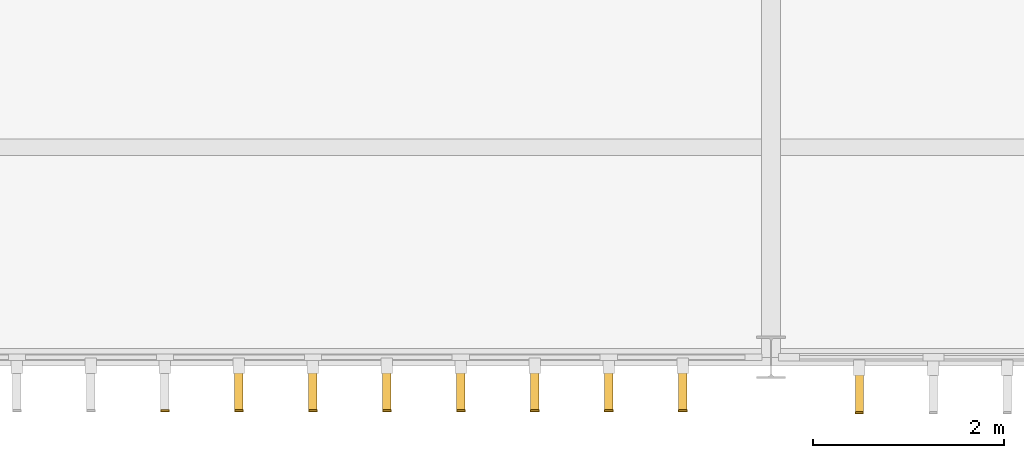
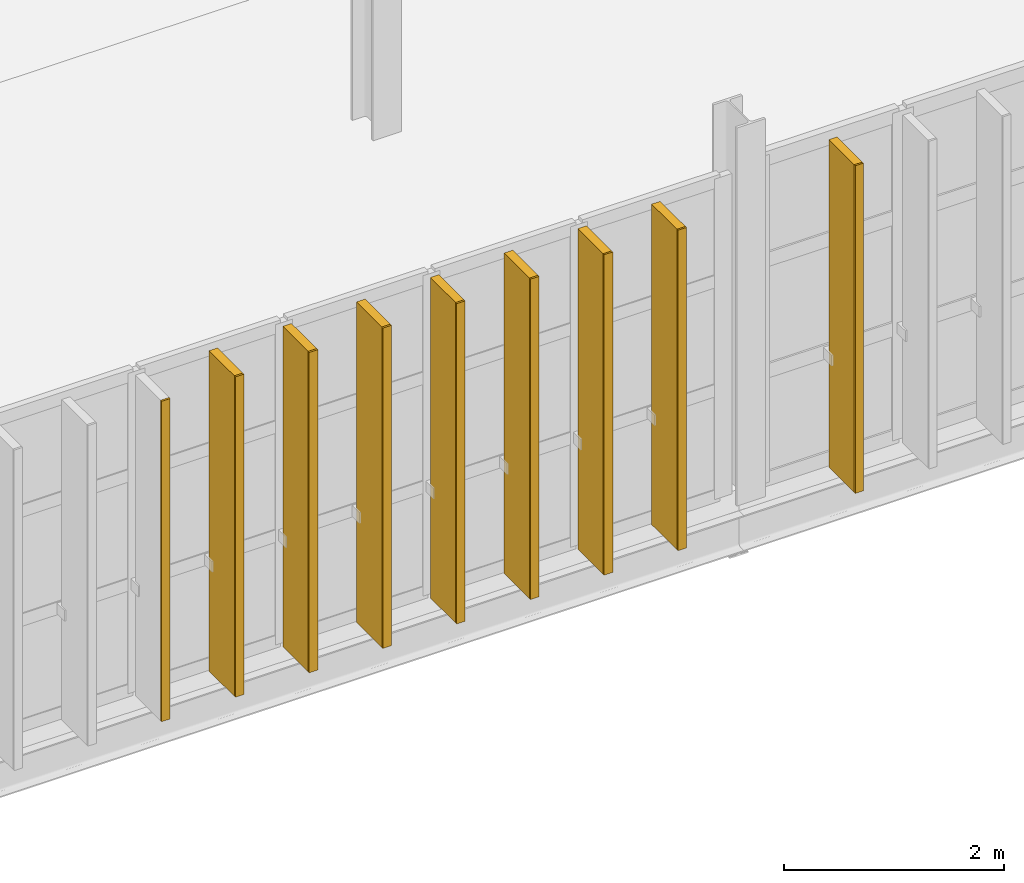
# One storey, part 33 of 38: 9 coverings, 8 shading devices.
"""IFC4 building model written with IfcOpenShell, lengths in metres."""

from ifc_helpers import new_model, si_unit, direction, frame, origin, origin_2d, place, context, subcontext, project, spatial, rectangle, extrude, material, layer, layer_set, type_object, element, save


model = new_model("IFC4")

# Units and contexts
model_context = context("Model", 3, precision=1e-05, world=origin(), true_north=direction((0.0, 1.0)))
body_context = subcontext(model_context, "Body", "Model", "MODEL_VIEW")
ifc_project = project(units=[si_unit("LENGTHUNIT", "METRE"), si_unit("AREAUNIT", "SQUARE_METRE"), si_unit("VOLUMEUNIT", "CUBIC_METRE"), si_unit("PLANEANGLEUNIT", "RADIAN"), si_unit("MASSUNIT", "GRAM", prefix="KILO")], contexts=[model_context])

# Site, building, storey
site_placement = place(None, origin())
site = spatial("IfcSite", under=ifc_project, at=site_placement, CompositionType="ELEMENT")
building_placement = place(site_placement, origin())
building = spatial("IfcBuilding", under=site, at=building_placement, Name="Zarnetskaya Central Station", CompositionType="ELEMENT")
storey_placement = place(building_placement, frame((0.0, 0.0, 18.60009765625)))
storey = spatial("IfcBuildingStorey", under=building, at=storey_placement, Name="L04", CompositionType="ELEMENT", Elevation=18.60009765625)

# Coverings
ifc_material_1 = material(Name="Treated larch timber", Category="wood")
ifc_layer = layer(ifc_material_1, 0.02001953125, Name="Treated larch timber", Category="wood")
ifc_layer_set = layer_set([ifc_layer], Name="Treated larch timber")
covering_type = type_object("IfcCoveringType", Name="COV-LARCH-CAP", PredefinedType="CLADDING", material=ifc_layer_set)
covering_placement = place(storey_placement, frame((39.324951171875, -0.580078125, 0.0), z_axis=(0.0, 0.0, 1.0), x_axis=(-1.0, 0.0, 0.0)))
element("IfcCovering", 1, at=covering_placement, inside=storey, type_object=covering_type, Name="Larch fin weather cap CW-L04-058-11", PredefinedType="CLADDING", context=body_context, shape_type="SweptSolid", body=[
    extrude(rectangle(XDim=0.0849609375, YDim=0.02001953125, at=origin_2d()), origin(), (0.0, 0.0, 1.0), 3.639892578125),
])
for number, where, z_axis, x_axis, name in (
    (2, (37.47509765625, -0.56005859375, -0.000244140625), (0.0, 0.0, 1.0), (-1.0, 0.0, 0.0), "Larch fin weather cap CW-L04-059-01"),
    (3, (36.699951171875, -0.56005859375, -0.000244140625), (0.0, 0.0, 1.0), (-1.0, 0.0, 0.0), "Larch fin weather cap CW-L04-059-02"),
    (4, (35.925048828125, -0.56005859375, -0.000244140625), (0.0, 0.0, 1.0), (-1.0, 0.0, 0.0), "Larch fin weather cap CW-L04-059-03"),
    (5, (35.14990234375, -0.56005859375, -0.000244140625), (0.0, 0.0, 1.0), (-1.0, 0.0, 0.0), "Larch fin weather cap CW-L04-059-04"),
    (6, (34.375, -0.56005859375, -0.000244140625), (0.0, 0.0, 1.0), (-1.0, 0.0, 0.0), "Larch fin weather cap CW-L04-059-05"),
    (7, (33.60009765625, -0.56005859375, -0.000244140625), (0.0, 0.0, 1.0), (-1.0, 0.0, 0.0), "Larch fin weather cap CW-L04-059-06"),
    (8, (32.824951171875, -0.56005859375, -0.000244140625), (0.0, 0.0, 1.0), (-1.0, 0.0, 0.0), "Larch fin weather cap CW-L04-059-07"),
    (9, (32.050048828125, -0.56005859375, -0.000244140625), (0.0, 0.0, 1.0), (-1.0, 0.0, 0.0), "Larch fin weather cap CW-L04-059-08"),
):
    element("IfcCovering", number, at=place(storey_placement, frame(where, z_axis=z_axis, x_axis=x_axis)), inside=storey, type_object=covering_type, Name=name, PredefinedType="CLADDING", context=body_context, shape_type="SweptSolid", body=[
        extrude(rectangle(XDim=0.090087890625, YDim=0.02001953125, at=origin_2d()), origin(), (0.0, 0.0, 1.0), 3.56005859375),
    ])

# Shading devices
ifc_material_2 = material(Name="Larch glulam GL28h", Category="wood")
shading_device_type_1 = type_object("IfcShadingDeviceType", Name="SHD-LARCH-FIN-A", PredefinedType="USERDEFINED", material=ifc_material_2)
for number, where, z_axis, x_axis, name in (
    (10, (37.47509765625, -0.320068359375, -0.000244140625), (0.0, 0.0, 1.0), (-1.0, 0.0, 0.0), "Vertical larch timber fin CW-L04-059-01"),
    (11, (36.699951171875, -0.320068359375, -0.000244140625), (0.0, 0.0, 1.0), (-1.0, 0.0, 0.0), "Vertical larch timber fin CW-L04-059-02"),
    (12, (35.925048828125, -0.320068359375, -0.000244140625), (0.0, 0.0, 1.0), (-1.0, 0.0, 0.0), "Vertical larch timber fin CW-L04-059-03"),
    (13, (35.14990234375, -0.320068359375, -0.000244140625), (0.0, 0.0, 1.0), (-1.0, 0.0, 0.0), "Vertical larch timber fin CW-L04-059-04"),
    (14, (34.375, -0.320068359375, -0.000244140625), (0.0, 0.0, 1.0), (-1.0, 0.0, 0.0), "Vertical larch timber fin CW-L04-059-05"),
    (15, (33.60009765625, -0.320068359375, -0.000244140625), (0.0, 0.0, 1.0), (-1.0, 0.0, 0.0), "Vertical larch timber fin CW-L04-059-06"),
    (16, (32.824951171875, -0.320068359375, -0.000244140625), (0.0, 0.0, 1.0), (-1.0, 0.0, 0.0), "Vertical larch timber fin CW-L04-059-07"),
):
    element("IfcShadingDevice", number, at=place(storey_placement, frame(where, z_axis=z_axis, x_axis=x_axis)), inside=storey, type_object=shading_device_type_1, Name=name, ObjectType="TIMBER FIN", PredefinedType="USERDEFINED", context=body_context, shape_type="SweptSolid", body=[
        extrude(rectangle(XDim=0.090087890625, YDim=0.4599609375, at=origin_2d()), origin(), (0.0, 0.0, 1.0), 3.56005859375),
    ])
shading_device_type_2 = type_object("IfcShadingDeviceType", Name="SHD-LARCH-FIN-B", PredefinedType="USERDEFINED", material=ifc_material_2)
shading_device_placement = place(storey_placement, frame((39.324951171875, -0.340087890625, 0.0), z_axis=(0.0, 0.0, 1.0), x_axis=(-1.0, 0.0, 0.0)))
element("IfcShadingDevice", 17, at=shading_device_placement, inside=storey, type_object=shading_device_type_2, Name="Vertical larch timber fin CW-L04-058-11", ObjectType="TIMBER FIN", PredefinedType="USERDEFINED", context=body_context, shape_type="SweptSolid", body=[
    extrude(rectangle(XDim=0.0849609375, YDim=0.4599609375, at=origin_2d()), origin(), (0.0, 0.0, 1.0), 3.639892578125),
])

save(model, "model.ifc")
